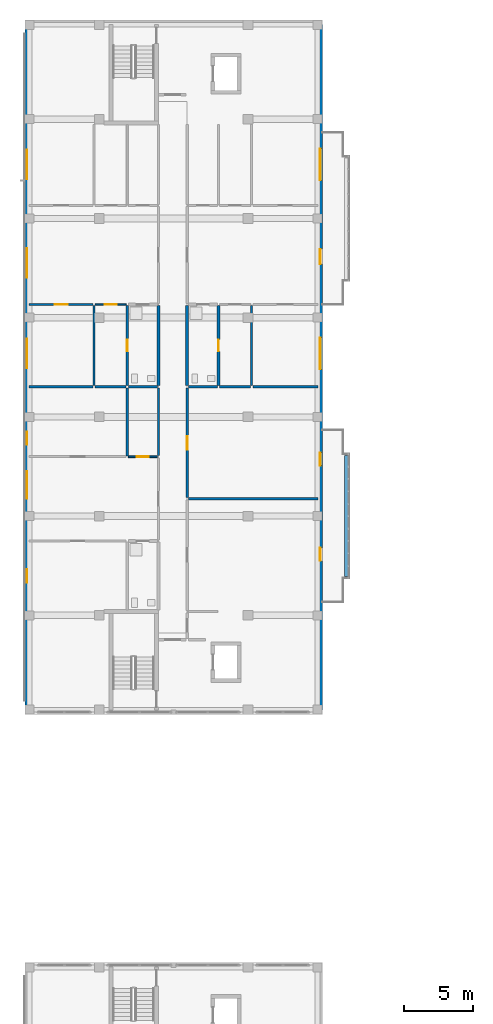
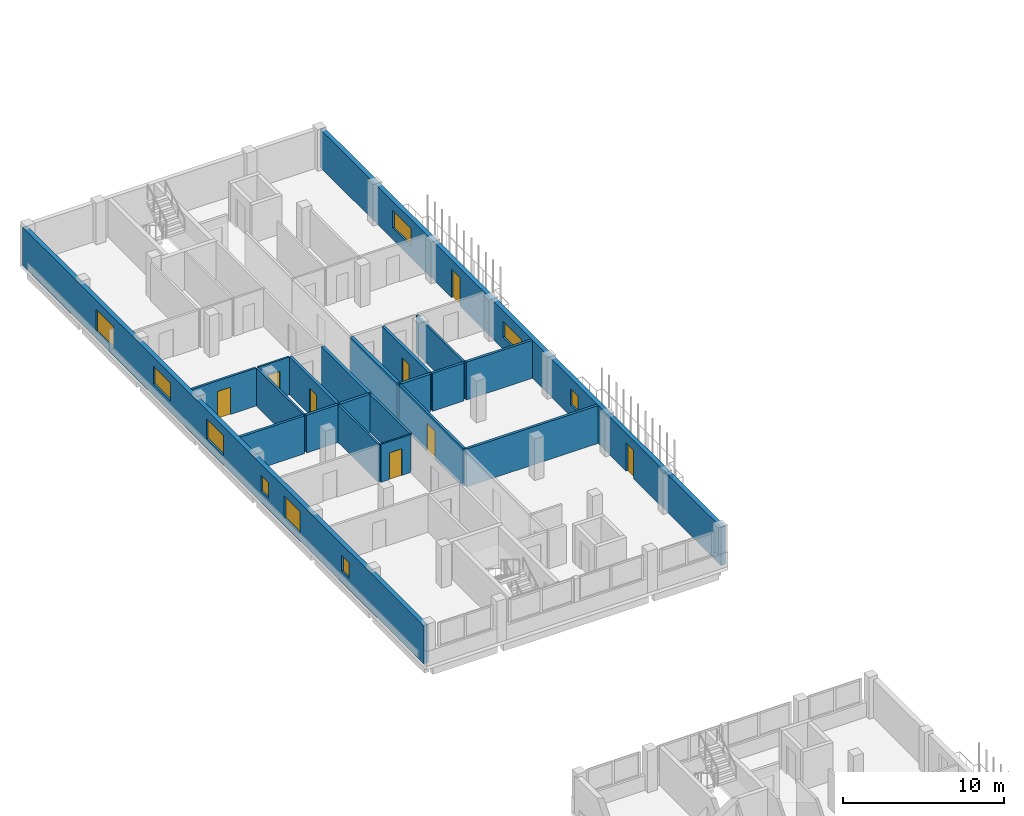
# One storey, part 28 of 51: 22 walls, 9 windows, 8 doors, 17 openings.
"""IFC4 building model written with IfcOpenShell, lengths in metres."""

import ifcopenshell
import ifcopenshell.guid

model = None  # the IFC model being written
_history = None  # IfcOwnerHistory: only IFC2X3 demands one
_inside = {}  # id of a spatial element -> (the spatial element, [elements in it])
_under = {}  # id of a project, library or spatial element -> (it, [spatial elements below it])
_declared = {}  # id of a project -> (the project, [libraries it declares])
_typed = {}  # id of a type object -> (the type object, [elements of that type])
_made_of = {}  # id of a material, layer set ... -> (it, [elements and type objects made of it])


def new_model(schema):
    """Start an empty IFC model of exactly this schema.

    Asked for "IFC4X3", IfcOpenShell would pick the latest addendum, in which some entities
    have other attributes; the version numbers below select the first issue.
    IFC2X3 requires an IfcOwnerHistory on every rooted entity: one is made here for all.
    """
    global model, _history
    if schema == "IFC4X3":
        model = ifcopenshell.file(schema_version=(4, 3, 0, 0))
    else:
        model = ifcopenshell.file(schema=schema)
    _inside.clear()
    _under.clear()
    _declared.clear()
    _typed.clear()
    _made_of.clear()
    _history = None
    if model.schema == "IFC2X3":
        org = make("IfcOrganization", Name="unknown")
        user = make(
            "IfcPersonAndOrganization",
            ThePerson=make("IfcPerson", FamilyName="unknown"),
            TheOrganization=org,
        )
        app = make(
            "IfcApplication",
            ApplicationDeveloper=org,
            Version="unknown",
            ApplicationFullName="unknown",
            ApplicationIdentifier="unknown",
        )
        _history = make(
            "IfcOwnerHistory",
            OwningUser=user,
            OwningApplication=app,
            ChangeAction="ADDED",
            CreationDate=0,
        )
    return model


def make(cls, **values):
    """One entity of the class cls with the attributes given. An attribute that is None is left unset."""
    return model.create_entity(
        cls, **{name: value for name, value in values.items() if value is not None}
    )


def rooted(cls, **values):
    """An entity with a GlobalId (a new one), such as an element, a storey or a relation."""
    return make(cls, GlobalId=ifcopenshell.guid.new(), OwnerHistory=_history, **values)


def si_unit(unit_type, name, prefix=None):
    """IfcSIUnit, for example si_unit("LENGTHUNIT", "METRE", prefix="MILLI")."""
    return make("IfcSIUnit", UnitType=unit_type, Prefix=prefix, Name=name)


def derived_unit(unit_type, elements):
    """IfcDerivedUnit: a product of units, each with its exponent."""
    return make(
        "IfcDerivedUnit",
        Elements=[
            make("IfcDerivedUnitElement", Unit=unit, Exponent=power)
            for unit, power in elements
        ],
        UnitType=unit_type,
    )


def assignment(units):
    """IfcUnitAssignment: the units of a project."""
    return None if units is None else make("IfcUnitAssignment", Units=units)


def point(xyz):
    """IfcCartesianPoint."""
    return None if xyz is None else make("IfcCartesianPoint", Coordinates=xyz)


def direction(xyz):
    """IfcDirection."""
    return None if xyz is None else make("IfcDirection", DirectionRatios=xyz)


def frame(location, z_axis=None, x_axis=None):
    """IfcAxis2Placement3D, a coordinate frame: its origin and axes. An axis left out is left unset."""
    return make(
        "IfcAxis2Placement3D",
        Location=point(location),
        Axis=direction(z_axis),
        RefDirection=direction(x_axis),
    )


def frame_2d(location, x_axis=None):
    """IfcAxis2Placement2D, a coordinate frame in the plane: its origin and x axis."""
    return make(
        "IfcAxis2Placement2D", Location=point(location), RefDirection=direction(x_axis)
    )


def origin():
    """The frame at (0, 0, 0) with its axes left unset."""
    return frame((0.0, 0.0, 0.0))


def place(relative_to, where):
    """IfcLocalPlacement: puts the frame where relative to a parent placement (None: the world)."""
    return make(
        "IfcLocalPlacement", PlacementRelTo=relative_to, RelativePlacement=where
    )


def context(
    kind, dimensions, precision=None, world=None, true_north=None, identifier=None
):
    """IfcGeometricRepresentationContext, for example the 3D "Model" context."""
    return make(
        "IfcGeometricRepresentationContext",
        ContextIdentifier=identifier,
        ContextType=kind,
        CoordinateSpaceDimension=dimensions,
        Precision=precision,
        WorldCoordinateSystem=world,
        TrueNorth=true_north,
    )


def subcontext(parent, identifier, kind, view, scale=None):
    """IfcGeometricRepresentationSubContext, for example "Body" below "Model"."""
    return make(
        "IfcGeometricRepresentationSubContext",
        ContextIdentifier=identifier,
        ContextType=kind,
        ParentContext=parent,
        TargetScale=scale,
        TargetView=view,
    )


def project(units=None, contexts=None):
    """IfcProject with its units and contexts."""
    return rooted(
        "IfcProject",
        Name="project",
        RepresentationContexts=contexts,
        UnitsInContext=assignment(units),
    )


def spatial(cls, under=None, at=None, **own):
    """A site, building, storey or space (cls), placed at a placement, below another one or the project."""
    s = rooted(cls, ObjectPlacement=at, **own)
    if under is not None:
        _under.setdefault(under.id(), (under, []))[1].append(s)
    return s


def profile(cls, at=None, kind="AREA", **sizes):
    """A parametric profile (cls). Its sizes go by their IFC names, for example OverallWidth=200.0."""
    return make(cls, ProfileType=kind, Position=at, **sizes)


def rectangle(**sizes):
    """IfcRectangleProfileDef."""
    return profile("IfcRectangleProfileDef", **sizes)


def extrude(swept, where, along, depth):
    """IfcExtrudedAreaSolid: the profile swept, set in the frame where, extruded along a direction by depth."""
    return make(
        "IfcExtrudedAreaSolid",
        SweptArea=swept,
        Position=where,
        ExtrudedDirection=direction(along),
        Depth=depth,
    )


def shape(context_of_items, identifier, shape_type, items):
    """IfcShapeRepresentation: the items that make up one representation, for example the "Body"."""
    return make(
        "IfcShapeRepresentation",
        ContextOfItems=context_of_items,
        RepresentationIdentifier=identifier,
        RepresentationType=shape_type,
        Items=items,
    )


def material(Name=None, Category=None):
    """IfcMaterial."""
    return make("IfcMaterial", Name=Name, Category=Category)


def layer(
    of_material, thickness, ventilated=None, Name=None, Category=None, Priority=None
):
    """IfcMaterialLayer: one layer of a wall or slab, of a material (None: an air gap)."""
    return make(
        "IfcMaterialLayer",
        Material=of_material,
        LayerThickness=thickness,
        IsVentilated=ventilated,
        Name=Name,
        Category=Category,
        Priority=Priority,
    )


def layer_set(layers, Name=None):
    """IfcMaterialLayerSet."""
    return make("IfcMaterialLayerSet", MaterialLayers=layers, LayerSetName=Name)


def made_of(thing, what):
    """Note that an element or type object is made of a material, layer set ...; save() writes the relation."""
    if what is not None:
        _made_of.setdefault(what.id(), (what, []))[1].append(thing)
    return thing


def type_object(cls, material=None, **own):
    """A type object (cls), such as IfcWallType, which elements share."""
    return made_of(rooted(cls, **own), material)


def element(
    cls,
    number,
    at=None,
    inside=None,
    cuts=None,
    type_object=None,
    material=None,
    context=None,
    identifier="Body",
    shape_type=None,
    held_by="IfcProductDefinitionShape",
    body=None,
    shapes=None,
    **own,
):
    """One element of the class cls, such as IfcWall. Its Tag is "e" and its number.

    at: its placement. inside: the storey or other place that contains it. cuts: it is an
    opening in that element (IfcRelVoidsElement). A single representation is given by context,
    identifier, shape_type and body (its items); several are given by shapes. held_by: the class
    of the entity that holds the representations. save() writes the other relations.
    """
    e = rooted(cls, Tag="e%d" % number, ObjectPlacement=at, **own)
    if body is not None:
        shapes = [shape(context, identifier, shape_type, body)]
    if shapes is not None:
        e.Representation = make(held_by, Representations=shapes)
    if inside is not None:
        _inside.setdefault(inside.id(), (inside, []))[1].append(e)
    if cuts is not None:
        rooted(
            "IfcRelVoidsElement", RelatingBuildingElement=cuts, RelatedOpeningElement=e
        )
    if type_object is not None:
        _typed.setdefault(type_object.id(), (type_object, []))[1].append(e)
    return made_of(e, material)


def fill(opening, filler):
    """IfcRelFillsElement: the door or window that sits in an opening."""
    return rooted(
        "IfcRelFillsElement",
        RelatingOpeningElement=opening,
        RelatedBuildingElement=filler,
    )


def aggregate(whole, parts):
    """IfcRelAggregates: a whole, such as a stair, and the parts it consists of."""
    return rooted("IfcRelAggregates", RelatingObject=whole, RelatedObjects=parts)


def save(model, path):
    """Write the relations noted so far, then the file.

    IfcRelAggregates (storeys below a building ...), IfcRelContainedInSpatialStructure (elements
    in a storey), IfcRelDefinesByType, IfcRelAssociatesMaterial and IfcRelDeclares: one each for
    every whole, place, type object, material and project.
    """
    for whole, parts in _under.values():
        aggregate(whole, parts)
    for where, things in _inside.values():
        rooted(
            "IfcRelContainedInSpatialStructure",
            RelatedElements=things,
            RelatingStructure=where,
        )
    for kind, things in _typed.values():
        rooted("IfcRelDefinesByType", RelatedObjects=things, RelatingType=kind)
    for what, things in _made_of.values():
        rooted("IfcRelAssociatesMaterial", RelatedObjects=things, RelatingMaterial=what)
    for by, libraries in _declared.values():
        rooted("IfcRelDeclares", RelatingContext=by, RelatedDefinitions=libraries)
    model.write(path)


model = new_model("IFC4")

# Units and contexts
model_context = context("Model", 3, precision=1e-05, world=origin(), true_north=direction((0.0, 1.0)))
body_context = subcontext(model_context, "Body", "Model", "MODEL_VIEW")
ifc_project = project(units=[si_unit("LENGTHUNIT", "METRE"), si_unit("AREAUNIT", "SQUARE_METRE"), si_unit("VOLUMEUNIT", "CUBIC_METRE"), si_unit("PLANEANGLEUNIT", "RADIAN"), si_unit("MASSUNIT", "GRAM", prefix="KILO"), derived_unit("THERMALTRANSMITTANCEUNIT", [(si_unit("MASSUNIT", "GRAM", prefix="KILO"), 1), (si_unit("TIMEUNIT", "SECOND"), -3), (si_unit("THERMODYNAMICTEMPERATUREUNIT", "KELVIN"), -1)])], contexts=[model_context])

# Site, building, storey
site_placement = place(None, origin())
site = spatial("IfcSite", under=ifc_project, at=site_placement, CompositionType="ELEMENT")
building_placement = place(site_placement, origin())
building = spatial("IfcBuilding", under=site, at=building_placement, Name="Ochrekiln Boulevard Commons", CompositionType="ELEMENT")
storey_placement = place(building_placement, frame((0.0, 0.0, 18.375)))
storey = spatial("IfcBuildingStorey", under=building, at=storey_placement, Name="L05", CompositionType="ELEMENT", Elevation=18.375)

# Wall, openings, windows
ifc_material_1 = material(Name="Desert ochre clinker brick masonry ASTM C216 Grade SW", Category="masonry")
ifc_layer_1 = layer(ifc_material_1, 0.320068359375)
ifc_layer_set_1 = layer_set([ifc_layer_1], Name="Desert ochre clinker brick masonry ASTM C216 Grade SW")
wall_type_1 = type_object("IfcWallType", Name="WL-EXT-OCHRE-320", PredefinedType="SOLIDWALL", material=ifc_layer_set_1)
wall_1_placement = place(storey_placement, frame((0.159912109375, 68.719970703125, 0.0), z_axis=(0.0, 0.0, 1.0), x_axis=(0.0, 1.0, 0.0)))
wall_1 = element("IfcWall", 1, at=wall_1_placement, inside=storey, type_object=wall_type_1, Name="Block A L05 W Exterior Wall", PredefinedType="SOLIDWALL", context=body_context, shape_type="SweptSolid", body=[
    extrude(rectangle(XDim=49.760009765625, YDim=0.320068359375, at=frame_2d((24.8798828125, 0.0))), origin(), (0.0, 0.0, 1.0), 2.889892578125),
])
opening_1_placement = place(wall_1_placement, frame((15.330078125, 0.0, 0.554931640625)))
opening_1 = element("IfcOpeningElement", 2, at=opening_1_placement, cuts=wall_1, Name="Opening W-49", PredefinedType="OPENING", context=body_context, shape_type="SweptSolid", body=[
    extrude(rectangle(XDim=2.0, YDim=1.64990234375, at=frame_2d((1.0, 0.824951171875))), frame((0.0, 0.169921875, 0.0), z_axis=(0.0, -1.0, 0.0), x_axis=(1.0, 0.0, 0.0)), (0.0, 0.0, 1.0), 0.340087890625),
])
opening_2_placement = place(wall_1_placement, frame((9.260986328125, 0.0, 0.85009765625)))
opening_2 = element("IfcOpeningElement", 3, at=opening_2_placement, cuts=wall_1, Name="Opening W-01", PredefinedType="OPENING", context=body_context, shape_type="SweptSolid", body=[
    extrude(rectangle(XDim=0.949951171875, YDim=1.199951171875, at=frame_2d((0.47509765625, 0.60009765625))), frame((0.0, 0.169921875, 0.0), z_axis=(0.0, -1.0, 0.0), x_axis=(1.0, 0.0, 0.0)), (0.0, 0.0, 1.0), 0.340087890625),
])
opening_3_placement = place(wall_1_placement, frame((19.264892578125, 0.0, 0.85009765625)))
opening_3 = element("IfcOpeningElement", 4, at=opening_3_placement, cuts=wall_1, Name="Opening W-01", PredefinedType="OPENING", context=body_context, shape_type="SweptSolid", body=[
    extrude(rectangle(XDim=0.949951171875, YDim=1.199951171875, at=frame_2d((0.47509765625, 0.60009765625))), frame((0.0, 0.169921875, 0.0), z_axis=(0.0, -1.0, 0.0), x_axis=(1.0, 0.0, 0.0)), (0.0, 0.0, 1.0), 0.340087890625),
])
opening_4_placement = place(wall_1_placement, frame((31.384033203125, 0.0, 0.85498046875)))
opening_4 = element("IfcOpeningElement", 5, at=opening_4_placement, cuts=wall_1, Name="Opening W-52", PredefinedType="OPENING", context=body_context, shape_type="SweptSolid", body=[
    extrude(rectangle(XDim=2.14990234375, YDim=1.35009765625, at=frame_2d((1.074951171875, 0.675048828125))), frame((0.0, 0.169921875, 0.0), z_axis=(0.0, -1.0, 0.0), x_axis=(1.0, 0.0, 0.0)), (0.0, 0.0, 1.0), 0.340087890625),
])
opening_5_placement = place(wall_1_placement, frame((24.81103515625, 0.0, 0.705078125)))
opening_5 = element("IfcOpeningElement", 6, at=opening_5_placement, cuts=wall_1, Name="Opening W-53", PredefinedType="OPENING", context=body_context, shape_type="SweptSolid", body=[
    extrude(rectangle(XDim=2.14990234375, YDim=1.5, at=frame_2d((1.074951171875, 0.75))), frame((0.0, 0.169921875, 0.0), z_axis=(0.0, -1.0, 0.0), x_axis=(1.0, 0.0, 0.0)), (0.0, 0.0, 1.0), 0.340087890625),
])
opening_6_placement = place(wall_1_placement, frame((38.512939453125, 0.0, 0.554931640625)))
opening_6 = element("IfcOpeningElement", 7, at=opening_6_placement, cuts=wall_1, Name="Opening W-54", PredefinedType="OPENING", context=body_context, shape_type="SweptSolid", body=[
    extrude(rectangle(XDim=2.14990234375, YDim=1.64990234375, at=frame_2d((1.074951171875, 0.824951171875))), frame((0.0, 0.169921875, 0.0), z_axis=(0.0, -1.0, 0.0), x_axis=(1.0, 0.0, 0.0)), (0.0, 0.0, 1.0), 0.340087890625),
])
ifc_material_2 = material(Name="Thermally broken aluminium-clad oak frame", Category="aluminium")
window_type_1 = type_object("IfcWindowType", Name="WIN-EXT-01", PartitioningType="SINGLE_PANEL", PredefinedType="WINDOW", material=ifc_material_2)
window_1_placement = place(opening_2_placement, origin())
window_1 = element("IfcWindow", 8, at=window_1_placement, inside=storey, type_object=window_type_1, Name="Block A L05 Punched Masonry Window W-01", OverallHeight=1.199951171875, OverallWidth=0.949951171875, PartitioningType="SINGLE_PANEL", PredefinedType="WINDOW", context=body_context, shape_type="SweptSolid", body=[
    extrude(rectangle(XDim=0.949951171875, YDim=1.199951171875, at=frame_2d((0.47509765625, 0.60009765625))), frame((0.0, 0.030029296875, 0.0), z_axis=(0.0, -1.0, 0.0), x_axis=(1.0, 0.0, 0.0)), (0.0, 0.0, 1.0), 0.06005859375),
])
fill(opening_2, window_1)
window_2_placement = place(opening_3_placement, origin())
window_2 = element("IfcWindow", 9, at=window_2_placement, inside=storey, type_object=window_type_1, Name="Block A L05 Punched Masonry Window W-01", OverallHeight=1.199951171875, OverallWidth=0.949951171875, PartitioningType="SINGLE_PANEL", PredefinedType="WINDOW", context=body_context, shape_type="SweptSolid", body=[
    extrude(rectangle(XDim=0.949951171875, YDim=1.199951171875, at=frame_2d((0.47509765625, 0.60009765625))), frame((0.0, 0.030029296875, 0.0), z_axis=(0.0, -1.0, 0.0), x_axis=(1.0, 0.0, 0.0)), (0.0, 0.0, 1.0), 0.06005859375),
])
fill(opening_3, window_2)
window_type_2 = type_object("IfcWindowType", Name="WIN-EXT-49", PartitioningType="DOUBLE_PANEL_VERTICAL", PredefinedType="WINDOW", material=ifc_material_2)
window_3_placement = place(opening_1_placement, origin())
window_3 = element("IfcWindow", 10, at=window_3_placement, inside=storey, type_object=window_type_2, Name="Block A L05 Punched Masonry Window W-49", OverallHeight=1.64990234375, OverallWidth=2.0, PartitioningType="DOUBLE_PANEL_VERTICAL", PredefinedType="WINDOW", context=body_context, shape_type="SweptSolid", body=[
    extrude(rectangle(XDim=2.0, YDim=1.64990234375, at=frame_2d((1.0, 0.824951171875))), frame((0.0, 0.030029296875, 0.0), z_axis=(0.0, -1.0, 0.0), x_axis=(1.0, 0.0, 0.0)), (0.0, 0.0, 1.0), 0.06005859375),
])
fill(opening_1, window_3)
window_type_3 = type_object("IfcWindowType", Name="WIN-EXT-52", PartitioningType="DOUBLE_PANEL_VERTICAL", PredefinedType="WINDOW", material=ifc_material_2)
window_4_placement = place(opening_4_placement, origin())
window_4 = element("IfcWindow", 11, at=window_4_placement, inside=storey, type_object=window_type_3, Name="Block A L05 Punched Masonry Window W-52", OverallHeight=1.35009765625, OverallWidth=2.14990234375, PartitioningType="DOUBLE_PANEL_VERTICAL", PredefinedType="WINDOW", context=body_context, shape_type="SweptSolid", body=[
    extrude(rectangle(XDim=2.14990234375, YDim=1.35009765625, at=frame_2d((1.074951171875, 0.675048828125))), frame((0.0, 0.030029296875, 0.0), z_axis=(0.0, -1.0, 0.0), x_axis=(1.0, 0.0, 0.0)), (0.0, 0.0, 1.0), 0.06005859375),
])
fill(opening_4, window_4)
window_type_4 = type_object("IfcWindowType", Name="WIN-EXT-53", PartitioningType="DOUBLE_PANEL_VERTICAL", PredefinedType="WINDOW", material=ifc_material_2)
window_5_placement = place(opening_5_placement, origin())
window_5 = element("IfcWindow", 12, at=window_5_placement, inside=storey, type_object=window_type_4, Name="Block A L05 Punched Masonry Window W-53", OverallHeight=1.5, OverallWidth=2.14990234375, PartitioningType="DOUBLE_PANEL_VERTICAL", PredefinedType="WINDOW", context=body_context, shape_type="SweptSolid", body=[
    extrude(rectangle(XDim=2.14990234375, YDim=1.5, at=frame_2d((1.074951171875, 0.75))), frame((0.0, 0.030029296875, 0.0), z_axis=(0.0, -1.0, 0.0), x_axis=(1.0, 0.0, 0.0)), (0.0, 0.0, 1.0), 0.06005859375),
])
fill(opening_5, window_5)
window_type_5 = type_object("IfcWindowType", Name="WIN-EXT-54", PartitioningType="DOUBLE_PANEL_VERTICAL", PredefinedType="WINDOW", material=ifc_material_2)
window_6_placement = place(opening_6_placement, origin())
window_6 = element("IfcWindow", 13, at=window_6_placement, inside=storey, type_object=window_type_5, Name="Block A L05 Punched Masonry Window W-54", OverallHeight=1.64990234375, OverallWidth=2.14990234375, PartitioningType="DOUBLE_PANEL_VERTICAL", PredefinedType="WINDOW", context=body_context, shape_type="SweptSolid", body=[
    extrude(rectangle(XDim=2.14990234375, YDim=1.64990234375, at=frame_2d((1.074951171875, 0.824951171875))), frame((0.0, 0.030029296875, 0.0), z_axis=(0.0, -1.0, 0.0), x_axis=(1.0, 0.0, 0.0)), (0.0, 0.0, 1.0), 0.06005859375),
])
fill(opening_6, window_6)

# Wall, openings, doors, windows
wall_2_placement = place(storey_placement, frame((21.43994140625, 68.719970703125, 0.0), z_axis=(0.0, 0.0, 1.0), x_axis=(0.0, 1.0, 0.0)))
wall_2 = element("IfcWall", 14, at=wall_2_placement, inside=storey, type_object=wall_type_1, Name="Block A L05 E Exterior Wall", PredefinedType="SOLIDWALL", context=body_context, shape_type="SweptSolid", body=[
    extrude(rectangle(XDim=49.760009765625, YDim=0.320068359375, at=frame_2d((24.8798828125, 0.0))), origin(), (0.0, 0.0, 1.0), 2.889892578125),
])
opening_7_placement = place(wall_2_placement, frame((10.830078125, 0.0, 0.0)))
opening_7 = element("IfcOpeningElement", 15, at=opening_7_placement, cuts=wall_2, Name="Opening D-L05-BL012", PredefinedType="OPENING", context=body_context, shape_type="SweptSolid", body=[
    extrude(rectangle(XDim=0.949951171875, YDim=2.14990234375, at=frame_2d((0.47509765625, 1.074951171875))), frame((0.0, 0.169921875, 0.0), z_axis=(0.0, -1.0, 0.0), x_axis=(1.0, 0.0, 0.0)), (0.0, 0.0, 1.0), 0.340087890625),
])
opening_8_placement = place(wall_2_placement, frame((17.740966796875, 0.0, 0.85009765625)))
opening_8 = element("IfcOpeningElement", 16, at=opening_8_placement, cuts=wall_2, Name="Opening W-01", PredefinedType="OPENING", context=body_context, shape_type="SweptSolid", body=[
    extrude(rectangle(XDim=0.949951171875, YDim=1.199951171875, at=frame_2d((0.47509765625, 0.60009765625))), frame((0.0, 0.169921875, 0.0), z_axis=(0.0, -1.0, 0.0), x_axis=(1.0, 0.0, 0.0)), (0.0, 0.0, 1.0), 0.340087890625),
])
opening_9_placement = place(wall_2_placement, frame((32.364990234375, 0.0, 0.0)))
opening_9 = element("IfcOpeningElement", 17, at=opening_9_placement, cuts=wall_2, Name="Opening D-L05-BL013", PredefinedType="OPENING", context=body_context, shape_type="SweptSolid", body=[
    extrude(rectangle(XDim=1.080078125, YDim=2.179931640625, at=frame_2d((0.5400390625, 1.08984375))), frame((0.0, 0.169921875, 0.0), z_axis=(0.0, -1.0, 0.0), x_axis=(1.0, 0.0, 0.0)), (0.0, 0.0, 1.0), 0.340087890625),
])
opening_10_placement = place(wall_2_placement, frame((24.736083984375, 0.0, 0.89990234375)))
opening_10 = element("IfcOpeningElement", 18, at=opening_10_placement, cuts=wall_2, Name="Opening W-56", PredefinedType="OPENING", context=body_context, shape_type="SweptSolid", body=[
    extrude(rectangle(XDim=2.300048828125, YDim=1.199951171875, at=frame_2d((1.14990234375, 0.60009765625))), frame((0.0, 0.169921875, 0.0), z_axis=(0.0, -1.0, 0.0), x_axis=(1.0, 0.0, 0.0)), (0.0, 0.0, 1.0), 0.340087890625),
])
opening_11_placement = place(wall_2_placement, frame((38.43798828125, 0.0, 0.85498046875)))
opening_11 = element("IfcOpeningElement", 19, at=opening_11_placement, cuts=wall_2, Name="Opening W-57", PredefinedType="OPENING", context=body_context, shape_type="SweptSolid", body=[
    extrude(rectangle(XDim=2.300048828125, YDim=1.35009765625, at=frame_2d((1.14990234375, 0.675048828125))), frame((0.0, 0.169921875, 0.0), z_axis=(0.0, -1.0, 0.0), x_axis=(1.0, 0.0, 0.0)), (0.0, 0.0, 1.0), 0.340087890625),
])
door_type_1 = type_object("IfcDoorType", Name="DR-EXT-BAL-095", OperationType="NOTDEFINED", PredefinedType="DOOR", material=ifc_material_2)
door_1_placement = place(opening_7_placement, frame((0.949951171875, 0.0, 0.0), z_axis=(0.0, 0.0, 1.0), x_axis=(-1.0, 0.0, 0.0)))
door_1 = element("IfcDoor", 20, at=door_1_placement, inside=storey, type_object=door_type_1, Name="Block A L05 Glazed Balcony Patio Door", OperationType="SINGLE_SWING_LEFT", OverallHeight=2.14990234375, OverallWidth=0.949951171875, PredefinedType="DOOR", context=body_context, shape_type="SweptSolid", body=[
    extrude(rectangle(XDim=0.949951171875, YDim=2.14990234375, at=frame_2d((0.47509765625, 1.074951171875))), frame((0.0, 0.02490234375, 0.0), z_axis=(0.0, -1.0, 0.0), x_axis=(1.0, 0.0, 0.0)), (0.0, 0.0, 1.0), 0.050048828125),
])
fill(opening_7, door_1)
door_type_2 = type_object("IfcDoorType", Name="DR-EXT-BAL-108", OperationType="NOTDEFINED", PredefinedType="DOOR", material=ifc_material_2)
door_2_placement = place(opening_9_placement, frame((1.080078125, 0.0, 0.0), z_axis=(0.0, 0.0, 1.0), x_axis=(-1.0, 0.0, 0.0)))
door_2 = element("IfcDoor", 21, at=door_2_placement, inside=storey, type_object=door_type_2, Name="Block A L05 Glazed Balcony Patio Door", OperationType="SINGLE_SWING_RIGHT", OverallHeight=2.179931640625, OverallWidth=1.080078125, PredefinedType="DOOR", context=body_context, shape_type="SweptSolid", body=[
    extrude(rectangle(XDim=1.080078125, YDim=2.179931640625, at=frame_2d((0.5400390625, 1.08984375))), frame((0.0, 0.02490234375, 0.0), z_axis=(0.0, -1.0, 0.0), x_axis=(1.0, 0.0, 0.0)), (0.0, 0.0, 1.0), 0.050048828125),
])
fill(opening_9, door_2)
window_7_placement = place(opening_8_placement, origin())
window_7 = element("IfcWindow", 22, at=window_7_placement, inside=storey, type_object=window_type_1, Name="Block A L05 Punched Masonry Window W-01", OverallHeight=1.199951171875, OverallWidth=0.949951171875, PartitioningType="SINGLE_PANEL", PredefinedType="WINDOW", context=body_context, shape_type="SweptSolid", body=[
    extrude(rectangle(XDim=0.949951171875, YDim=1.199951171875, at=frame_2d((0.47509765625, 0.60009765625))), frame((0.0, 0.030029296875, 0.0), z_axis=(0.0, -1.0, 0.0), x_axis=(1.0, 0.0, 0.0)), (0.0, 0.0, 1.0), 0.06005859375),
])
fill(opening_8, window_7)
window_type_6 = type_object("IfcWindowType", Name="WIN-EXT-56", PartitioningType="DOUBLE_PANEL_VERTICAL", PredefinedType="WINDOW", material=ifc_material_2)
window_8_placement = place(opening_10_placement, origin())
window_8 = element("IfcWindow", 23, at=window_8_placement, inside=storey, type_object=window_type_6, Name="Block A L05 Punched Masonry Window W-56", OverallHeight=1.199951171875, OverallWidth=2.300048828125, PartitioningType="DOUBLE_PANEL_VERTICAL", PredefinedType="WINDOW", context=body_context, shape_type="SweptSolid", body=[
    extrude(rectangle(XDim=2.300048828125, YDim=1.199951171875, at=frame_2d((1.14990234375, 0.60009765625))), frame((0.0, 0.030029296875, 0.0), z_axis=(0.0, -1.0, 0.0), x_axis=(1.0, 0.0, 0.0)), (0.0, 0.0, 1.0), 0.06005859375),
])
fill(opening_10, window_8)
window_type_7 = type_object("IfcWindowType", Name="WIN-EXT-57", PartitioningType="DOUBLE_PANEL_VERTICAL", PredefinedType="WINDOW", material=ifc_material_2)
window_9_placement = place(opening_11_placement, origin())
window_9 = element("IfcWindow", 24, at=window_9_placement, inside=storey, type_object=window_type_7, Name="Block A L05 Punched Masonry Window W-57", OverallHeight=1.35009765625, OverallWidth=2.300048828125, PartitioningType="DOUBLE_PANEL_VERTICAL", PredefinedType="WINDOW", context=body_context, shape_type="SweptSolid", body=[
    extrude(rectangle(XDim=2.300048828125, YDim=1.35009765625, at=frame_2d((1.14990234375, 0.675048828125))), frame((0.0, 0.030029296875, 0.0), z_axis=(0.0, -1.0, 0.0), x_axis=(1.0, 0.0, 0.0)), (0.0, 0.0, 1.0), 0.06005859375),
])
fill(opening_11, window_9)

# Wall
ifc_material_3 = material(Name="Moisture-resistant cementitious tile backer wall")
ifc_layer_2 = layer(ifc_material_3, 0.199951171875)
ifc_layer_set_2 = layer_set([ifc_layer_2], Name="Moisture-resistant cementitious tile backer wall")
wall_type_2 = type_object("IfcWallType", Name="WL-PLM-200", PredefinedType="PLUMBINGWALL", material=ifc_layer_set_2)
wall_3_placement = place(storey_placement, frame((7.52001953125, 92.19189453125, 0.0), z_axis=(0.0, 0.0, 1.0), x_axis=(1.0, 0.0, 0.0)))
element("IfcWall", 25, at=wall_3_placement, inside=storey, type_object=wall_type_2, Name="L05 Interior Wall W-PW200", PredefinedType="PLUMBINGWALL", context=body_context, shape_type="SweptSolid", body=[
    extrude(rectangle(XDim=2.10791015625, YDim=0.199951171875, at=frame_2d((1.053955078125, 0.0))), origin(), (0.0, 0.0, 1.0), 2.8701171875),
])

# Wall, opening, door
wall_4_placement = place(storey_placement, frame((7.43994140625, 92.281982421875, 0.0), z_axis=(0.0, 0.0, 1.0), x_axis=(0.0, 1.0, 0.0)))
wall_4 = element("IfcWall", 26, at=wall_4_placement, inside=storey, type_object=wall_type_2, Name="L05 Interior Wall W-PW200", PredefinedType="PLUMBINGWALL", context=body_context, shape_type="SweptSolid", body=[
    extrude(rectangle(XDim=5.804931640625, YDim=0.199951171875, at=frame_2d((2.90234375, 0.0))), origin(), (0.0, 0.0, 1.0), 2.8701171875),
])
opening_12_placement = place(wall_4_placement, frame((2.467041015625, 0.0, 0.0)))
opening_12 = element("IfcOpeningElement", 27, at=opening_12_placement, cuts=wall_4, Name="Opening D-L05-695", PredefinedType="OPENING", context=body_context, shape_type="SweptSolid", body=[
    extrude(rectangle(XDim=0.85009765625, YDim=2.010009765625, at=frame_2d((0.425048828125, 1.0048828125))), frame((0.0, 0.10986328125, 0.0), z_axis=(0.0, -1.0, 0.0), x_axis=(1.0, 0.0, 0.0)), (0.0, 0.0, 1.0), 0.219970703125),
])
ifc_material_4 = material(Name="Solid core architectural oak door leaf")
door_type_3 = type_object("IfcDoorType", Name="DR-INT-KIT-085", OperationType="NOTDEFINED", PredefinedType="DOOR", material=ifc_material_4)
door_3_placement = place(opening_12_placement, frame((0.85009765625, 0.0, 0.0), z_axis=(0.0, 0.0, 1.0), x_axis=(-1.0, 0.0, 0.0)))
door_3 = element("IfcDoor", 28, at=door_3_placement, inside=storey, type_object=door_type_3, Name="L05 Interior Door to Apartment Bathroom", OperationType="SINGLE_SWING_LEFT", OverallHeight=2.010009765625, OverallWidth=0.85009765625, PredefinedType="DOOR", context=body_context, shape_type="SweptSolid", body=[
    extrude(rectangle(XDim=0.85009765625, YDim=2.010009765625, at=frame_2d((0.425048828125, 1.0048828125))), frame((0.0, 0.02490234375, 0.0), z_axis=(0.0, -1.0, 0.0), x_axis=(1.0, 0.0, 0.0)), (0.0, 0.0, 1.0), 0.050048828125),
])
fill(opening_12, door_3)

# Wall
wall_5_placement = place(storey_placement, frame((11.8720703125, 92.19189453125, 0.0), z_axis=(0.0, 0.0, 1.0), x_axis=(1.0, 0.0, 0.0)))
element("IfcWall", 29, at=wall_5_placement, inside=storey, type_object=wall_type_2, Name="L05 Interior Wall W-PW200", PredefinedType="PLUMBINGWALL", context=body_context, shape_type="SweptSolid", body=[
    extrude(rectangle(XDim=2.10791015625, YDim=0.199951171875, at=frame_2d((1.053955078125, 0.0))), origin(), (0.0, 0.0, 1.0), 2.8701171875),
])

# Wall, opening, door
wall_6_placement = place(storey_placement, frame((14.06005859375, 92.281982421875, 0.0), z_axis=(0.0, 0.0, 1.0), x_axis=(0.0, 1.0, 0.0)))
wall_6 = element("IfcWall", 30, at=wall_6_placement, inside=storey, type_object=wall_type_2, Name="L05 Interior Wall W-PW200", PredefinedType="PLUMBINGWALL", context=body_context, shape_type="SweptSolid", body=[
    extrude(rectangle(XDim=5.804931640625, YDim=0.199951171875, at=frame_2d((2.90234375, 0.0))), origin(), (0.0, 0.0, 1.0), 2.8701171875),
])
opening_13_placement = place(wall_6_placement, frame((2.467041015625, 0.0, 0.0)))
opening_13 = element("IfcOpeningElement", 31, at=opening_13_placement, cuts=wall_6, Name="Opening D-L05-702", PredefinedType="OPENING", context=body_context, shape_type="SweptSolid", body=[
    extrude(rectangle(XDim=0.85009765625, YDim=2.010009765625, at=frame_2d((0.425048828125, 1.0048828125))), frame((0.0, 0.10986328125, 0.0), z_axis=(0.0, -1.0, 0.0), x_axis=(1.0, 0.0, 0.0)), (0.0, 0.0, 1.0), 0.219970703125),
])
door_4_placement = place(opening_13_placement, origin())
door_4 = element("IfcDoor", 32, at=door_4_placement, inside=storey, type_object=door_type_3, Name="L05 Interior Door to Apartment Bathroom", OperationType="SINGLE_SWING_RIGHT", OverallHeight=2.010009765625, OverallWidth=0.85009765625, PredefinedType="DOOR", context=body_context, shape_type="SweptSolid", body=[
    extrude(rectangle(XDim=0.85009765625, YDim=2.010009765625, at=frame_2d((0.425048828125, 1.0048828125))), frame((0.0, 0.02490234375, 0.0), z_axis=(0.0, -1.0, 0.0), x_axis=(1.0, 0.0, 0.0)), (0.0, 0.0, 1.0), 0.050048828125),
])
fill(opening_13, door_4)

# Walls
ifc_layer_3 = layer(ifc_material_3, 0.219970703125)
ifc_layer_set_3 = layer_set([ifc_layer_3], Name="Moisture-resistant cementitious tile backer wall")
wall_type_3 = type_object("IfcWallType", Name="WL-PLM-220", PredefinedType="PLUMBINGWALL", material=ifc_layer_set_3)
for number, where, z_axis, x_axis, name in (
    (33, (9.7099609375, 92.281982421875, 0.0), (0.0, 0.0, 1.0), (0.0, 1.0, 0.0), "L05 Interior Wall W-PW220"),
    (34, (11.7900390625, 92.281982421875, 0.0), (0.0, 0.0, 1.0), (0.0, 1.0, 0.0), "L05 Interior Wall W-PW220"),
):
    element("IfcWall", number, at=place(storey_placement, frame(where, z_axis=z_axis, x_axis=x_axis)), inside=storey, type_object=wall_type_3, Name=name, PredefinedType="PLUMBINGWALL", context=body_context, shape_type="SweptSolid", body=[
        extrude(rectangle(XDim=5.784912109375, YDim=0.219970703125, at=frame_2d((2.892578125, 0.0))), origin(), (0.0, 0.0, 1.0), 2.8701171875),
    ])
ifc_material_5 = material(Name="Glazed architectural terracotta ASTM C1405", Category="masonry")
ifc_layer_4 = layer(ifc_material_5, 0.25)
ifc_layer_set_4 = layer_set([ifc_layer_4], Name="Glazed architectural terracotta ASTM C1405")
wall_type_4 = type_object("IfcWallType", Name="WL-PLN-250", PredefinedType="PARAPET", material=ifc_layer_set_4)
wall_7_placement = place(storey_placement, frame((23.320068359375, 78.409912109375, 0.0), z_axis=(0.0, 0.0, 1.0), x_axis=(0.0, 1.0, 0.0)))
element("IfcWall", 35, at=wall_7_placement, inside=storey, type_object=wall_type_4, Name="Block A L05 Balcony Terracotta Planter Box 1", PredefinedType="PARAPET", context=body_context, shape_type="SweptSolid", body=[
    extrude(rectangle(XDim=8.780029296875, YDim=0.25, at=frame_2d((4.39013671875, 0.0))), origin(), (0.0, 0.0, 1.0), 0.22998046875),
])
ifc_material_6 = material(Name="Fire-rated Type X gypsum board on steel studs", Category="steel")
ifc_layer_5 = layer(ifc_material_6, 0.1650390625)
ifc_layer_set_5 = layer_set([ifc_layer_5], Name="Fire-rated Type X gypsum board on steel studs")
wall_type_5 = type_object("IfcWallType", Name="WL-PT-CORR-165", PredefinedType="PARTITIONING", material=ifc_layer_set_5)
wall_8_placement = place(storey_placement, frame((9.7099609375, 87.18994140625, 0.0), z_axis=(0.0, 0.0, 1.0), x_axis=(0.0, 1.0, 0.0)))
element("IfcWall", 36, at=wall_8_placement, inside=storey, type_object=wall_type_5, Name="L05 Interior Wall W-PC165", PredefinedType="PARTITIONING", context=body_context, shape_type="SweptSolid", body=[
    extrude(rectangle(XDim=4.912109375, YDim=0.1650390625, at=frame_2d((2.4560546875, 0.0))), origin(), (0.0, 0.0, 1.0), 2.8701171875),
])

# Wall, opening, door
wall_9_placement = place(storey_placement, frame((11.7900390625, 84.14111328125, 0.0), z_axis=(0.0, 0.0, 1.0), x_axis=(0.0, 1.0, 0.0)))
wall_9 = element("IfcWall", 37, at=wall_9_placement, inside=storey, type_object=wall_type_5, Name="L05 Interior Wall W-PC165", PredefinedType="PARTITIONING", context=body_context, shape_type="SweptSolid", body=[
    extrude(rectangle(XDim=7.9609375, YDim=0.1650390625, at=frame_2d((3.98046875, 0.0))), origin(), (0.0, 0.0, 1.0), 2.8701171875),
])
opening_14_placement = place(wall_9_placement, frame((3.489990234375, 0.0, 0.0)))
opening_14 = element("IfcOpeningElement", 38, at=opening_14_placement, cuts=wall_9, Name="Opening D-L05-683", PredefinedType="OPENING", context=body_context, shape_type="SweptSolid", body=[
    extrude(rectangle(XDim=0.97998046875, YDim=2.080078125, at=frame_2d((0.489990234375, 1.0400390625))), frame((0.0, 0.092529296875, 0.0), z_axis=(0.0, -1.0, 0.0), x_axis=(1.0, 0.0, 0.0)), (0.0, 0.0, 1.0), 0.18505859375),
])
door_type_4 = type_object("IfcDoorType", Name="DR-APT-60", OperationType="NOTDEFINED", PredefinedType="DOOR", material=ifc_material_4)
door_5_placement = place(opening_14_placement, frame((0.97998046875, 0.0, 0.0), z_axis=(0.0, 0.0, 1.0), x_axis=(-1.0, 0.0, 0.0)))
door_5 = element("IfcDoor", 39, at=door_5_placement, inside=storey, type_object=door_type_4, Name="L05 Interior Door to Resident Reading Library", OperationType="SINGLE_SWING_LEFT", OverallHeight=2.080078125, OverallWidth=0.97998046875, PredefinedType="DOOR", context=body_context, shape_type="SweptSolid", body=[
    extrude(rectangle(XDim=0.97998046875, YDim=2.080078125, at=frame_2d((0.489990234375, 1.0400390625))), frame((0.0, 0.02490234375, 0.0), z_axis=(0.0, -1.0, 0.0), x_axis=(1.0, 0.0, 0.0)), (0.0, 0.0, 1.0), 0.050048828125),
])
fill(opening_14, door_5)

# Walls
ifc_layer_6 = layer(ifc_material_6, 0.179931640625)
ifc_layer_set_6 = layer_set([ifc_layer_6], Name="Fire-rated Type X gypsum board on steel studs")
wall_type_6 = type_object("IfcWallType", Name="WL-PT-DEM-180", PredefinedType="PARTITIONING", material=ifc_layer_set_6)
wall_10_placement = place(storey_placement, frame((0.320068359375, 92.19189453125, 0.0), z_axis=(0.0, 0.0, 1.0), x_axis=(1.0, 0.0, 0.0)))
element("IfcWall", 40, at=wall_10_placement, inside=storey, type_object=wall_type_6, Name="L05 Interior Wall W-PD180", PredefinedType="PARTITIONING", context=body_context, shape_type="SweptSolid", body=[
    extrude(rectangle(XDim=4.6298828125, YDim=0.179931640625, at=frame_2d((2.31494140625, 0.0))), origin(), (0.0, 0.0, 1.0), 2.8701171875),
])
wall_11_placement = place(storey_placement, frame((5.110107421875, 92.19189453125, 0.0), z_axis=(0.0, 0.0, 1.0), x_axis=(1.0, 0.0, 0.0)))
element("IfcWall", 41, at=wall_11_placement, inside=storey, type_object=wall_type_6, Name="L05 Interior Wall W-PD180", PredefinedType="PARTITIONING", context=body_context, shape_type="SweptSolid", body=[
    extrude(rectangle(XDim=2.25, YDim=0.179931640625, at=frame_2d((1.125, 0.0))), origin(), (0.0, 0.0, 1.0), 2.8701171875),
])
wall_12_placement = place(storey_placement, frame((11.8720703125, 84.051025390625, 0.0), z_axis=(0.0, 0.0, 1.0), x_axis=(1.0, 0.0, 0.0)))
element("IfcWall", 42, at=wall_12_placement, inside=storey, type_object=wall_type_6, Name="L05 Interior Wall W-PD180", PredefinedType="PARTITIONING", context=body_context, shape_type="SweptSolid", body=[
    extrude(rectangle(XDim=9.407958984375, YDim=0.179931640625, at=frame_2d((4.7041015625, 0.0))), origin(), (0.0, 0.0, 1.0), 2.8701171875),
])
wall_13_placement = place(storey_placement, frame((16.550048828125, 92.19189453125, 0.0), z_axis=(0.0, 0.0, 1.0), x_axis=(1.0, 0.0, 0.0)))
element("IfcWall", 43, at=wall_13_placement, inside=storey, type_object=wall_type_6, Name="L05 Interior Wall W-PD180", PredefinedType="PARTITIONING", context=body_context, shape_type="SweptSolid", body=[
    extrude(rectangle(XDim=4.72998046875, YDim=0.179931640625, at=frame_2d((2.364990234375, 0.0))), origin(), (0.0, 0.0, 1.0), 2.8701171875),
])
wall_14_placement = place(storey_placement, frame((14.139892578125, 92.19189453125, 0.0), z_axis=(0.0, 0.0, 1.0), x_axis=(1.0, 0.0, 0.0)))
element("IfcWall", 44, at=wall_14_placement, inside=storey, type_object=wall_type_6, Name="L05 Interior Wall W-PD180", PredefinedType="PARTITIONING", context=body_context, shape_type="SweptSolid", body=[
    extrude(rectangle(XDim=2.25, YDim=0.179931640625, at=frame_2d((1.125, 0.0))), origin(), (0.0, 0.0, 1.0), 2.8701171875),
])

# Wall, opening, door
ifc_layer_7 = layer(ifc_material_6, 0.1201171875)
ifc_layer_set_7 = layer_set([ifc_layer_7], Name="Fire-rated Type X gypsum board on steel studs")
wall_type_7 = type_object("IfcWallType", Name="WL-PT-LGT-120", PredefinedType="PARTITIONING", material=ifc_layer_set_7)
wall_15_placement = place(storey_placement, frame((7.52001953125, 87.110107421875, 0.0), z_axis=(0.0, 0.0, 1.0), x_axis=(1.0, 0.0, 0.0)))
wall_15 = element("IfcWall", 45, at=wall_15_placement, inside=storey, type_object=wall_type_7, Name="L05 Interior Wall W-PL120", PredefinedType="PARTITIONING", context=body_context, shape_type="SweptSolid", body=[
    extrude(rectangle(XDim=2.10791015625, YDim=0.1201171875, at=frame_2d((1.053955078125, 0.0))), origin(), (0.0, 0.0, 1.0), 2.8701171875),
])
opening_15_placement = place(wall_15_placement, frame((0.610107421875, 0.0, 0.0)))
opening_15 = element("IfcOpeningElement", 46, at=opening_15_placement, cuts=wall_15, Name="Opening D-L05-686", PredefinedType="OPENING", context=body_context, shape_type="SweptSolid", body=[
    extrude(rectangle(XDim=0.8798828125, YDim=2.02001953125, at=frame_2d((0.43994140625, 1.010009765625))), frame((0.0, 0.070068359375, 0.0), z_axis=(0.0, -1.0, 0.0), x_axis=(1.0, 0.0, 0.0)), (0.0, 0.0, 1.0), 0.14013671875),
])
door_type_5 = type_object("IfcDoorType", Name="DR-INT-KIT-088", OperationType="NOTDEFINED", PredefinedType="DOOR", material=ifc_material_4)
door_6_placement = place(opening_15_placement, origin())
door_6 = element("IfcDoor", 47, at=door_6_placement, inside=storey, type_object=door_type_5, Name="L05 Interior Door to Apartment Kitchen", OperationType="SINGLE_SWING_RIGHT", OverallHeight=2.02001953125, OverallWidth=0.8798828125, PredefinedType="DOOR", context=body_context, shape_type="SweptSolid", body=[
    extrude(rectangle(XDim=0.8798828125, YDim=2.02001953125, at=frame_2d((0.43994140625, 1.010009765625))), frame((0.0, 0.02490234375, 0.0), z_axis=(0.0, -1.0, 0.0), x_axis=(1.0, 0.0, 0.0)), (0.0, 0.0, 1.0), 0.050048828125),
])
fill(opening_15, door_6)

wall_16_placement = place(storey_placement, frame((5.110107421875, 98.14697265625, 0.0), z_axis=(0.0, 0.0, 1.0), x_axis=(1.0, 0.0, 0.0)))
wall_16 = element("IfcWall", 48, at=wall_16_placement, inside=storey, type_object=wall_type_7, Name="L05 Interior Wall W-PL120", PredefinedType="PARTITIONING", context=body_context, shape_type="SweptSolid", body=[
    extrude(rectangle(XDim=2.25, YDim=0.1201171875, at=frame_2d((1.125, 0.0))), origin(), (0.0, 0.0, 1.0), 2.8701171875),
])
opening_16_placement = place(wall_16_placement, frame((0.699951171875, 0.0, 0.0)))
opening_16 = element("IfcOpeningElement", 49, at=opening_16_placement, cuts=wall_16, Name="Opening D-L05-692", PredefinedType="OPENING", context=body_context, shape_type="SweptSolid", body=[
    extrude(rectangle(XDim=0.85009765625, YDim=2.010009765625, at=frame_2d((0.425048828125, 1.0048828125))), frame((0.0, 0.070068359375, 0.0), z_axis=(0.0, -1.0, 0.0), x_axis=(1.0, 0.0, 0.0)), (0.0, 0.0, 1.0), 0.14013671875),
])
door_7_placement = place(opening_16_placement, frame((0.85009765625, 0.0, 0.0), z_axis=(0.0, 0.0, 1.0), x_axis=(-1.0, 0.0, 0.0)))
door_7 = element("IfcDoor", 50, at=door_7_placement, inside=storey, type_object=door_type_3, Name="L05 Interior Door to Apartment Walk-In Wardrobe", OperationType="SINGLE_SWING_RIGHT", OverallHeight=2.010009765625, OverallWidth=0.85009765625, PredefinedType="DOOR", context=body_context, shape_type="SweptSolid", body=[
    extrude(rectangle(XDim=0.85009765625, YDim=2.010009765625, at=frame_2d((0.425048828125, 1.0048828125))), frame((0.0, 0.02490234375, 0.0), z_axis=(0.0, -1.0, 0.0), x_axis=(1.0, 0.0, 0.0)), (0.0, 0.0, 1.0), 0.050048828125),
])
fill(opening_16, door_7)

# Wall
ifc_layer_8 = layer(ifc_material_6, 0.14990234375)
ifc_layer_set_8 = layer_set([ifc_layer_8], Name="Fire-rated Type X gypsum board on steel studs")
wall_type_8 = type_object("IfcWallType", Name="WL-PT-STD-150", PredefinedType="PARTITIONING", material=ifc_layer_set_8)
wall_17_placement = place(storey_placement, frame((7.43994140625, 87.169921875, 0.0), z_axis=(0.0, 0.0, 1.0), x_axis=(0.0, 1.0, 0.0)))
element("IfcWall", 51, at=wall_17_placement, inside=storey, type_object=wall_type_8, Name="L05 Interior Wall W-PS150", PredefinedType="PARTITIONING", context=body_context, shape_type="SweptSolid", body=[
    extrude(rectangle(XDim=4.93212890625, YDim=0.14990234375, at=frame_2d((2.466064453125, 0.0))), origin(), (0.0, 0.0, 1.0), 2.8701171875),
])

# Wall, opening, door
wall_18_placement = place(storey_placement, frame((0.320068359375, 98.14697265625, 0.0), z_axis=(0.0, 0.0, 1.0), x_axis=(1.0, 0.0, 0.0)))
wall_18 = element("IfcWall", 52, at=wall_18_placement, inside=storey, type_object=wall_type_8, Name="L05 Interior Wall W-PS150", PredefinedType="PARTITIONING", context=body_context, shape_type="SweptSolid", body=[
    extrude(rectangle(XDim=4.6298828125, YDim=0.14990234375, at=frame_2d((2.31494140625, 0.0))), origin(), (0.0, 0.0, 1.0), 2.8701171875),
])
opening_17_placement = place(wall_18_placement, frame((1.860107421875, 0.0, 0.0)))
opening_17 = element("IfcOpeningElement", 53, at=opening_17_placement, cuts=wall_18, Name="Opening D-L05-691", PredefinedType="OPENING", context=body_context, shape_type="SweptSolid", body=[
    extrude(rectangle(XDim=0.93994140625, YDim=2.06005859375, at=frame_2d((0.469970703125, 1.030029296875))), frame((0.0, 0.0849609375, 0.0), z_axis=(0.0, -1.0, 0.0), x_axis=(1.0, 0.0, 0.0)), (0.0, 0.0, 1.0), 0.169921875),
])
door_type_6 = type_object("IfcDoorType", Name="DR-INT-BED-094", OperationType="NOTDEFINED", PredefinedType="DOOR", material=ifc_material_4)
door_8_placement = place(opening_17_placement, frame((0.93994140625, 0.0, 0.0), z_axis=(0.0, 0.0, 1.0), x_axis=(-1.0, 0.0, 0.0)))
door_8 = element("IfcDoor", 54, at=door_8_placement, inside=storey, type_object=door_type_6, Name="L05 Interior Door to Primary Apartment Bedroom", OperationType="SINGLE_SWING_LEFT", OverallHeight=2.06005859375, OverallWidth=0.93994140625, PredefinedType="DOOR", context=body_context, shape_type="SweptSolid", body=[
    extrude(rectangle(XDim=0.93994140625, YDim=2.06005859375, at=frame_2d((0.469970703125, 1.030029296875))), frame((0.0, 0.02490234375, 0.0), z_axis=(0.0, -1.0, 0.0), x_axis=(1.0, 0.0, 0.0)), (0.0, 0.0, 1.0), 0.050048828125),
])
fill(opening_17, door_8)

# Walls
for number, where, z_axis, x_axis, name in (
    (55, (5.030029296875, 92.281982421875, 0.0), (0.0, 0.0, 1.0), (0.0, 1.0, 0.0), "L05 Interior Wall W-PS150"),
    (56, (16.469970703125, 92.281982421875, 0.0), (0.0, 0.0, 1.0), (0.0, 1.0, 0.0), "L05 Interior Wall W-PS150"),
):
    element("IfcWall", number, at=place(storey_placement, frame(where, z_axis=z_axis, x_axis=x_axis)), inside=storey, type_object=wall_type_8, Name=name, PredefinedType="PARTITIONING", context=body_context, shape_type="SweptSolid", body=[
        extrude(rectangle(XDim=5.7900390625, YDim=0.14990234375, at=frame_2d((2.89501953125, 0.0))), origin(), (0.0, 0.0, 1.0), 2.8701171875),
    ])

save(model, "model.ifc")
